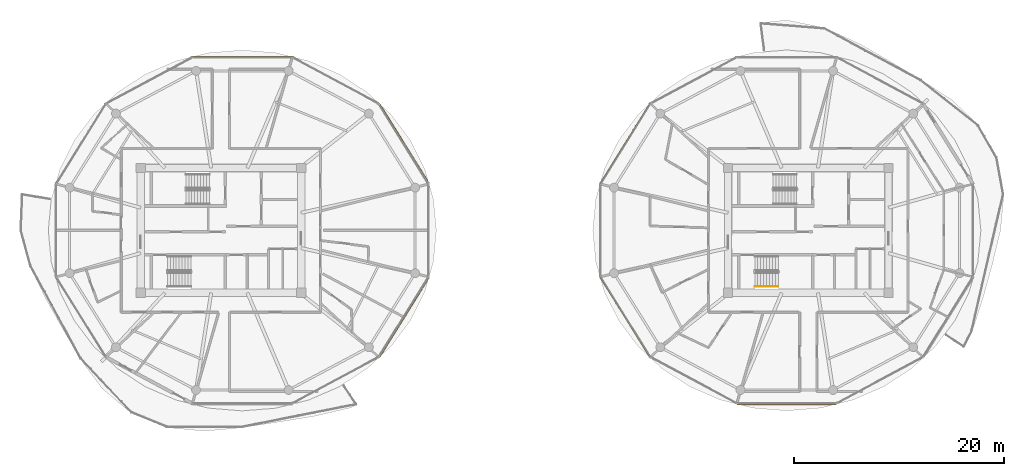
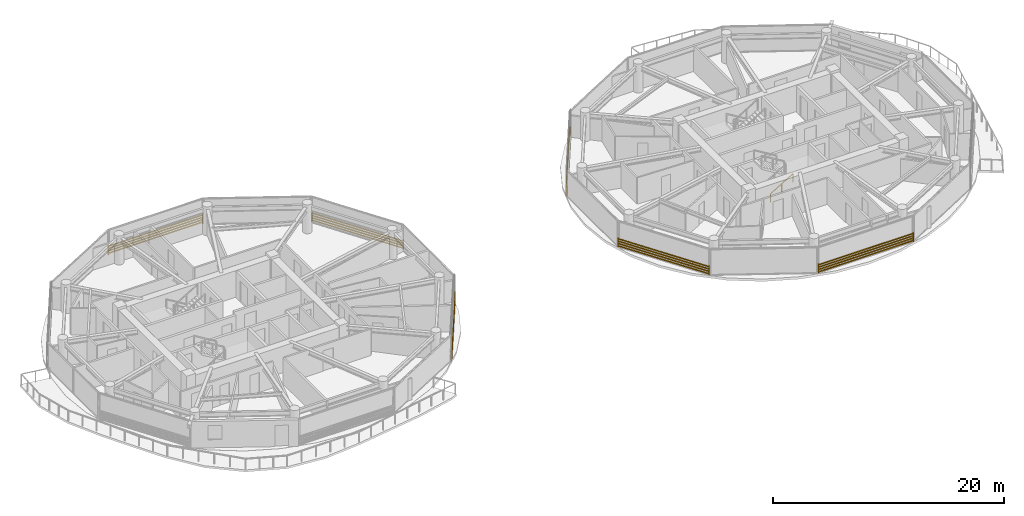
# One storey, part 22 of 24: 6 shading devices, 1 railing.
"""IFC4 building model written with IfcOpenShell, lengths in metres."""

from ifc_helpers import new_model, si_unit, direction, frame, origin, origin_2d, place, context, subcontext, project, spatial, rectangle, extrude, source, transform, mapped, material, type_object, type_shapes, element, save


model = new_model("IFC4")

# Units and contexts
model_context = context("Model", 3, precision=1e-05, world=origin(), true_north=direction((0.0, 1.0)))
body_context = subcontext(model_context, "Body", "Model", "MODEL_VIEW")
ifc_project = project(units=[si_unit("LENGTHUNIT", "METRE"), si_unit("AREAUNIT", "SQUARE_METRE"), si_unit("VOLUMEUNIT", "CUBIC_METRE"), si_unit("PLANEANGLEUNIT", "RADIAN"), si_unit("MASSUNIT", "GRAM", prefix="KILO")], contexts=[model_context])

# Site, building, storey
site_placement = place(None, origin())
site = spatial("IfcSite", under=ifc_project, at=site_placement, CompositionType="ELEMENT")
building_placement = place(site_placement, origin())
building = spatial("IfcBuilding", under=site, at=building_placement, Name="Norrkilde Senior Care Towers", CompositionType="ELEMENT")
storey_placement = place(building_placement, frame((0.0, 0.0, 105.39990234375)))
storey = spatial("IfcBuildingStorey", under=building, at=storey_placement, Name="L32", CompositionType="ELEMENT", Elevation=105.39990234375)

# Railing
ifc_material_1 = material(Name="Nordic Ash Timber", Category="wood")
railing_type = type_object("IfcRailingType", Name="Wall and Stair Handrail 900", PredefinedType="HANDRAIL", material=ifc_material_1)
railing_placement = place(storey_placement, frame((22.89990234375, -5.35009765625, 0.16943359375)))
element("IfcRailing", 1, at=railing_placement, inside=storey, type_object=railing_type, Name="L32 ST-E2 stair handrail 1", PredefinedType="HANDRAIL", context=body_context, shape_type="SweptSolid", body=[
    extrude(rectangle(XDim=0.048095703125, YDim=0.048095703125, at=origin_2d()), frame((0.0, 0.0, 0.8759765625), z_axis=(0.855512035549, 0.0, 0.517782924622), x_axis=(0.0, 1.0, 0.0)), (0.0, 0.0, 1.0), 2.618408203125),
    extrude(rectangle(XDim=0.0419921875, YDim=0.0419921875, at=origin_2d()), origin(), (0.0, 0.0, 1.0), 0.849853515625),
    extrude(rectangle(XDim=0.0419921875, YDim=0.0419921875, at=origin_2d()), frame((1.1201171875, 0.0, 0.677734375)), (0.0, 0.0, 1.0), 0.849853515625),
    extrude(rectangle(XDim=0.0419921875, YDim=0.0419921875, at=origin_2d()), frame((2.239990234375, 0.0, 1.355712890625)), (0.0, 0.0, 1.0), 0.849853515625),
])

# Shading devices
ifc_material_2 = material(Name="Architectural Terracotta", Category="masonry")
shading_device_type = type_object("IfcShadingDeviceType", Name="Horizontal Terracotta Baguette Rack", PredefinedType="USERDEFINED", material=ifc_material_2)
shared_shape_1 = source(origin(), body_context, "Body", "SweptSolid", [
    extrude(rectangle(XDim=0.070068359375, YDim=0.110107421875, at=origin_2d()), frame((0.0, 0.090087890625, 0.125), z_axis=(1.0, 0.0, 0.0), x_axis=(0.0, 1.0, 0.0)), (0.0, 0.0, 1.0), 9.01416015625),
    extrude(rectangle(XDim=0.070068359375, YDim=0.110107421875, at=origin_2d()), frame((0.0, 0.090087890625, 0.375), z_axis=(1.0, 0.0, 0.0), x_axis=(0.0, 1.0, 0.0)), (0.0, 0.0, 1.0), 9.01416015625),
    extrude(rectangle(XDim=0.070068359375, YDim=0.110107421875, at=origin_2d()), frame((0.0, 0.090087890625, 0.625), z_axis=(1.0, 0.0, 0.0), x_axis=(0.0, 1.0, 0.0)), (0.0, 0.0, 1.0), 9.01416015625),
    extrude(rectangle(XDim=0.070068359375, YDim=0.110107421875, at=origin_2d()), frame((0.0, 0.090087890625, 0.875), z_axis=(1.0, 0.0, 0.0), x_axis=(0.0, 1.0, 0.0)), (0.0, 0.0, 1.0), 9.01416015625),
    extrude(rectangle(XDim=0.050048828125, YDim=0.1552734375, at=origin_2d()), frame((0.02490234375, 0.047607421875, 0.0)), (0.0, 0.0, 1.0), 1.0),
    extrude(rectangle(XDim=0.050048828125, YDim=0.1552734375, at=origin_2d()), frame((8.9892578125, 0.047607421875, 0.0)), (0.0, 0.0, 1.0), 1.0),
])
for number, where, z_axis, x_axis, name in (
    (2, (-12.953369140625, 12.077392578125, 0.080078125), (0.0, 0.0, 1.0), (0.527734142246, -0.849412274525, 0.0), "L32 Drum W Terracotta Baguette Screen 00"),
    (3, (-8.1962890625, -4.420654296875, 0.080078125), (0.0, 0.0, 1.0), (-0.527734142246, -0.849412274525, 0.0), "L32 Drum W Terracotta Baguette Screen 10"),
    (4, (8.1962890625, 4.420654296875, 0.080078125), (0.0, 0.0, 1.0), (0.527734142246, 0.849412274525, 0.0), "L32 Drum E Terracotta Baguette Screen 04"),
    (5, (12.953369140625, -12.077392578125, 0.080078125), (0.0, 0.0, 1.0), (-0.527734142246, 0.849412274525, 0.0), "L32 Drum E Terracotta Baguette Screen 06"),
):
    element("IfcShadingDevice", number, at=place(storey_placement, frame(where, z_axis=z_axis, x_axis=x_axis)), inside=storey, type_object=shading_device_type, Name=name, ObjectType="BAGUETTE", PredefinedType="USERDEFINED", context=body_context, shape_type="MappedRepresentation", body=[
        mapped(shared_shape_1, transform((0.0, 0.0, 0.0), x_axis=(1.0, 0.0, 0.0), y_axis=(0.0, 1.0, 0.0), z_axis=(0.0, 0.0, 1.0), scale=1.0)),
    ])
shared_shape_2 = source(origin(), body_context, "Body", "SweptSolid", [
    extrude(rectangle(XDim=0.070068359375, YDim=0.110107421875, at=origin_2d()), frame((0.0, 0.090087890625, 0.125), z_axis=(1.0, 0.0, 0.0), x_axis=(0.0, 1.0, 0.0)), (0.0, 0.0, 1.0), 9.51416015625),
    extrude(rectangle(XDim=0.070068359375, YDim=0.110107421875, at=origin_2d()), frame((0.0, 0.090087890625, 0.375), z_axis=(1.0, 0.0, 0.0), x_axis=(0.0, 1.0, 0.0)), (0.0, 0.0, 1.0), 9.51416015625),
    extrude(rectangle(XDim=0.070068359375, YDim=0.110107421875, at=origin_2d()), frame((0.0, 0.090087890625, 0.625), z_axis=(1.0, 0.0, 0.0), x_axis=(0.0, 1.0, 0.0)), (0.0, 0.0, 1.0), 9.51416015625),
    extrude(rectangle(XDim=0.070068359375, YDim=0.110107421875, at=origin_2d()), frame((0.0, 0.090087890625, 0.875), z_axis=(1.0, 0.0, 0.0), x_axis=(0.0, 1.0, 0.0)), (0.0, 0.0, 1.0), 9.51416015625),
    extrude(rectangle(XDim=0.050048828125, YDim=0.1552734375, at=origin_2d()), frame((0.02490234375, 0.047607421875, 0.0)), (0.0, 0.0, 1.0), 1.0),
    extrude(rectangle(XDim=0.050048828125, YDim=0.1552734375, at=origin_2d()), frame((9.4892578125, 0.047607421875, 0.0)), (0.0, 0.0, 1.0), 1.0),
])
type_shapes(shading_device_type, [shared_shape_1, shared_shape_2])
for number, where, z_axis, x_axis, name in (
    (6, (-30.70703125, 16.498046875, 0.080078125), (0.0, 0.0, 1.0), (1.0, 0.0, 0.0), "L32 Drum W Terracotta Baguette Screen 02"),
    (7, (30.70703125, -16.498046875, 0.080078125), (0.0, 0.0, 1.0), (-1.0, 0.0, 0.0), "L32 Drum E Terracotta Baguette Screen 08"),
):
    element("IfcShadingDevice", number, at=place(storey_placement, frame(where, z_axis=z_axis, x_axis=x_axis)), inside=storey, type_object=shading_device_type, Name=name, ObjectType="BAGUETTE", PredefinedType="USERDEFINED", context=body_context, shape_type="MappedRepresentation", body=[
        mapped(shared_shape_2, transform((0.0, 0.0, 0.0), x_axis=(1.0, 0.0, 0.0), y_axis=(0.0, 1.0, 0.0), z_axis=(0.0, 0.0, 1.0), scale=1.0)),
    ])

save(model, "model.ifc")
